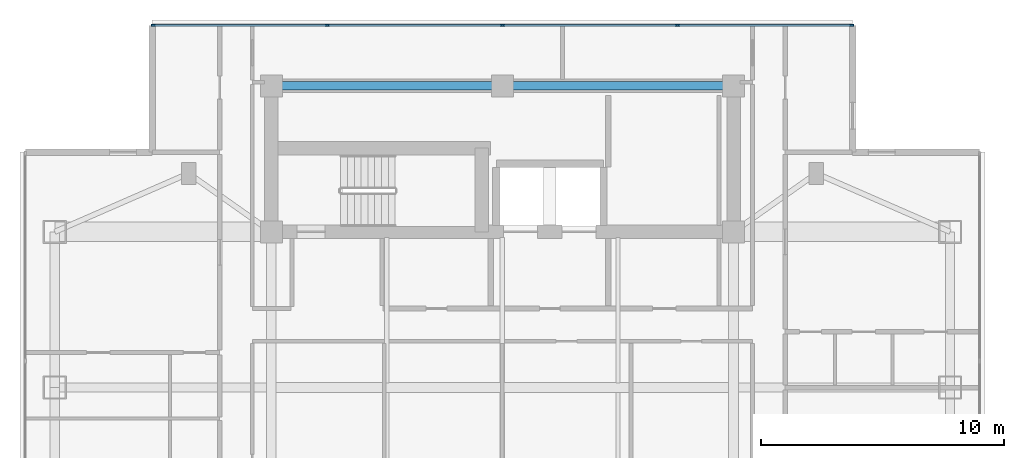
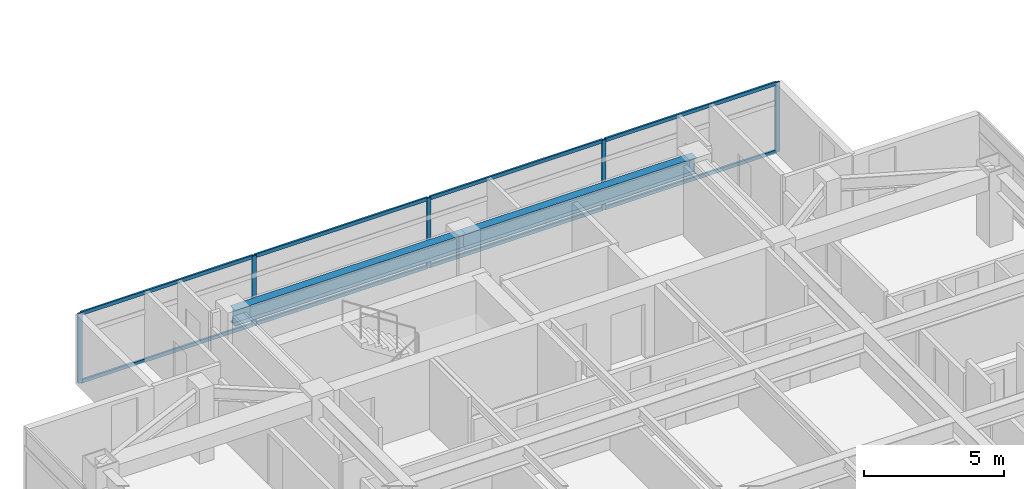
# One storey, part 8 of 24: 13 members, 2 beams, 1 element without a shape of its own.
"""IFC4 building model written with IfcOpenShell, lengths in metres."""

from ifc_helpers import new_model, si_unit, direction, frame, origin, origin_2d, place, context, subcontext, project, spatial, rectangle, i_section, extrude, material, material_profile, profile_set, type_object, element, aggregate, save


model = new_model("IFC4")

# Units and contexts
model_context = context("Model", 3, precision=1e-05, world=origin(), true_north=direction((0.0, 1.0)))
body_context = subcontext(model_context, "Body", "Model", "MODEL_VIEW")
ifc_project = project(units=[si_unit("LENGTHUNIT", "METRE"), si_unit("AREAUNIT", "SQUARE_METRE"), si_unit("VOLUMEUNIT", "CUBIC_METRE"), si_unit("PLANEANGLEUNIT", "RADIAN"), si_unit("MASSUNIT", "GRAM", prefix="KILO")], contexts=[model_context])

# Site, building, storey
site_placement = place(None, origin())
site = spatial("IfcSite", under=ifc_project, at=site_placement, CompositionType="ELEMENT")
building_placement = place(site_placement, origin())
building = spatial("IfcBuilding", under=site, at=building_placement, Name="Mirazonda Arch Towers", CompositionType="ELEMENT")
storey_placement = place(building_placement, frame((0.0, 0.0, 186.89990234375)))
storey = spatial("IfcBuildingStorey", under=building, at=storey_placement, Name="L53", CompositionType="ELEMENT", Elevation=186.89990234375)

# Beams
ifc_material_1 = material(Name="Steel ASTM A992 Grade 50", Category="steel")
ifc_material_profile_1 = material_profile(ifc_material_1, i_section(OverallWidth=0.35498046875, OverallDepth=0.696044921875, WebThickness=0.015380859375, FlangeThickness=0.02490234375, at=origin_2d()), Name="W27X146")
ifc_profile_set_1 = profile_set([ifc_material_profile_1], Name="Steel ASTM A992 Grade 50")
beam_type = type_object("IfcBeamType", Name="BM-INT-W27X146", PredefinedType="BEAM", material=ifc_profile_set_1)
for number, where, z_axis, x_axis, name in (
    (1, (11.0, 43.60009765625, 2.7021484375), (1.0, 0.0, 0.0), (0.0, 1.0, 0.0), "L53 Floor Beam BM-T1-L53-CN1"),
    (2, (20.5, 43.60009765625, 2.7021484375), (1.0, 0.0, 0.0), (0.0, 1.0, 0.0), "L53 Floor Beam BM-T1-L53-CN2"),
):
    element("IfcBeam", number, at=place(storey_placement, frame(where, z_axis=z_axis, x_axis=x_axis)), inside=storey, type_object=beam_type, Name=name, PredefinedType="BEAM", context=body_context, shape_type="SweptSolid", body=[
        extrude(i_section(OverallWidth=0.35498046875, OverallDepth=0.696044921875, WebThickness=0.015380859375, FlangeThickness=0.02490234375, at=origin_2d()), origin(), (0.0, 0.0, 1.0), 9.5),
    ])

# Curtain wall, members
ifc_material_2 = material(Name="Anodised Aluminium and Low-E Glass", Category="aluminium")
curtain_wall_type = type_object("IfcCurtainWallType", Name="CW-RES-UNIT", PredefinedType="NOTDEFINED", material=ifc_material_2)
curtain_wall_placement = place(storey_placement, origin())
curtain_wall = element("IfcCurtainWall", 3, at=curtain_wall_placement, inside=storey, type_object=curtain_wall_type, Name="L53 T1 N Facade CW-L53-T1-N", PredefinedType="NOTDEFINED")
ifc_material_3 = material(Name="Anodised Aluminium Alloy", Category="aluminium")
ifc_material_profile_2 = material_profile(ifc_material_3, rectangle(XDim=0.074951171875, YDim=0.175048828125, at=origin_2d()), Name="ALU-MULL-75x175")
ifc_profile_set_2 = profile_set([ifc_material_profile_2], Name="Anodised Aluminium Alloy")
member_type_1 = type_object("IfcMemberType", Name="MULL-CW-RES-UNIT", PredefinedType="MULLION", material=ifc_profile_set_2)
member_1_placement = place(storey_placement, frame((6.142578125, 46.087890625, 0.0), z_axis=(0.0, 0.0, 1.0), x_axis=(0.0, 1.0, 0.0)))
member_1 = element("IfcMember", 4, at=member_1_placement, type_object=member_type_1, Name="CW-104 mullion 1", PredefinedType="MULLION", context=body_context, shape_type="SweptSolid", body=[
    extrude(rectangle(XDim=0.074951171875, YDim=0.175048828125, at=origin_2d()), origin(), (0.0, 0.0, 1.0), 3.030029296875),
])
member_2_placement = place(storey_placement, frame((13.302490234375, 46.087890625, 0.0), z_axis=(0.0, 0.0, 1.0), x_axis=(0.0, 1.0, 0.0)))
member_2 = element("IfcMember", 5, at=member_2_placement, type_object=member_type_1, Name="CW-104 mullion 2", PredefinedType="MULLION", context=body_context, shape_type="SweptSolid", body=[
    extrude(rectangle(XDim=0.074951171875, YDim=0.175048828125, at=origin_2d()), origin(), (0.0, 0.0, 1.0), 3.030029296875),
])
member_3_placement = place(storey_placement, frame((20.5, 46.087890625, 0.0), z_axis=(0.0, 0.0, 1.0), x_axis=(0.0, 1.0, 0.0)))
member_3 = element("IfcMember", 6, at=member_3_placement, type_object=member_type_1, Name="CW-104 mullion 3", PredefinedType="MULLION", context=body_context, shape_type="SweptSolid", body=[
    extrude(rectangle(XDim=0.074951171875, YDim=0.175048828125, at=origin_2d()), origin(), (0.0, 0.0, 1.0), 3.030029296875),
])
member_4_placement = place(storey_placement, frame((27.697509765625, 46.087890625, 0.0), z_axis=(0.0, 0.0, 1.0), x_axis=(0.0, 1.0, 0.0)))
member_4 = element("IfcMember", 7, at=member_4_placement, type_object=member_type_1, Name="CW-104 mullion 4", PredefinedType="MULLION", context=body_context, shape_type="SweptSolid", body=[
    extrude(rectangle(XDim=0.074951171875, YDim=0.175048828125, at=origin_2d()), origin(), (0.0, 0.0, 1.0), 3.030029296875),
])
member_5_placement = place(storey_placement, frame((34.857421875, 46.087890625, 0.0), z_axis=(0.0, 0.0, 1.0), x_axis=(0.0, 1.0, 0.0)))
member_5 = element("IfcMember", 8, at=member_5_placement, type_object=member_type_1, Name="CW-104 mullion 5", PredefinedType="MULLION", context=body_context, shape_type="SweptSolid", body=[
    extrude(rectangle(XDim=0.074951171875, YDim=0.175048828125, at=origin_2d()), origin(), (0.0, 0.0, 1.0), 3.030029296875),
])
ifc_material_profile_3 = material_profile(ifc_material_3, rectangle(XDim=0.074951171875, YDim=0.155029296875, at=origin_2d()), Name="ALU-TRAN-75x155")
ifc_profile_set_3 = profile_set([ifc_material_profile_3], Name="Anodised Aluminium Alloy")
member_type_2 = type_object("IfcMemberType", Name="TRAN-CW-RES-UNIT", PredefinedType="USERDEFINED", material=ifc_profile_set_3)
member_6_placement = place(storey_placement, frame((6.179931640625, 46.087890625, 0.03759765625), z_axis=(1.0, 0.0, 0.0), x_axis=(0.0, 1.0, 0.0)))
member_6 = element("IfcMember", 9, at=member_6_placement, type_object=member_type_2, Name="CW-104 transom 1.1", ObjectType="TRANSOM", PredefinedType="USERDEFINED", context=body_context, shape_type="SweptSolid", body=[
    extrude(rectangle(XDim=0.074951171875, YDim=0.155029296875, at=origin_2d()), origin(), (0.0, 0.0, 1.0), 7.0849609375),
])
member_7_placement = place(storey_placement, frame((6.179931640625, 46.087890625, 2.99267578125), z_axis=(1.0, 0.0, 0.0), x_axis=(0.0, 1.0, 0.0)))
member_7 = element("IfcMember", 10, at=member_7_placement, type_object=member_type_2, Name="CW-104 transom 1.2", ObjectType="TRANSOM", PredefinedType="USERDEFINED", context=body_context, shape_type="SweptSolid", body=[
    extrude(rectangle(XDim=0.074951171875, YDim=0.155029296875, at=origin_2d()), origin(), (0.0, 0.0, 1.0), 7.0849609375),
])
member_8_placement = place(storey_placement, frame((13.340087890625, 46.087890625, 0.03759765625), z_axis=(1.0, 0.0, 0.0), x_axis=(0.0, 1.0, 0.0)))
member_8 = element("IfcMember", 11, at=member_8_placement, type_object=member_type_2, Name="CW-104 transom 2.1", ObjectType="TRANSOM", PredefinedType="USERDEFINED", context=body_context, shape_type="SweptSolid", body=[
    extrude(rectangle(XDim=0.074951171875, YDim=0.155029296875, at=origin_2d()), origin(), (0.0, 0.0, 1.0), 7.122314453125),
])
member_9_placement = place(storey_placement, frame((13.340087890625, 46.087890625, 2.99267578125), z_axis=(1.0, 0.0, 0.0), x_axis=(0.0, 1.0, 0.0)))
member_9 = element("IfcMember", 12, at=member_9_placement, type_object=member_type_2, Name="CW-104 transom 2.2", ObjectType="TRANSOM", PredefinedType="USERDEFINED", context=body_context, shape_type="SweptSolid", body=[
    extrude(rectangle(XDim=0.074951171875, YDim=0.155029296875, at=origin_2d()), origin(), (0.0, 0.0, 1.0), 7.122314453125),
])
member_10_placement = place(storey_placement, frame((20.53759765625, 46.087890625, 0.03759765625), z_axis=(1.0, 0.0, 0.0), x_axis=(0.0, 1.0, 0.0)))
member_10 = element("IfcMember", 13, at=member_10_placement, type_object=member_type_2, Name="CW-104 transom 3.1", ObjectType="TRANSOM", PredefinedType="USERDEFINED", context=body_context, shape_type="SweptSolid", body=[
    extrude(rectangle(XDim=0.074951171875, YDim=0.155029296875, at=origin_2d()), origin(), (0.0, 0.0, 1.0), 7.122314453125),
])
member_11_placement = place(storey_placement, frame((20.53759765625, 46.087890625, 2.99267578125), z_axis=(1.0, 0.0, 0.0), x_axis=(0.0, 1.0, 0.0)))
member_11 = element("IfcMember", 14, at=member_11_placement, type_object=member_type_2, Name="CW-104 transom 3.2", ObjectType="TRANSOM", PredefinedType="USERDEFINED", context=body_context, shape_type="SweptSolid", body=[
    extrude(rectangle(XDim=0.074951171875, YDim=0.155029296875, at=origin_2d()), origin(), (0.0, 0.0, 1.0), 7.122314453125),
])
member_12_placement = place(storey_placement, frame((27.735107421875, 46.087890625, 0.03759765625), z_axis=(1.0, 0.0, 0.0), x_axis=(0.0, 1.0, 0.0)))
member_12 = element("IfcMember", 15, at=member_12_placement, type_object=member_type_2, Name="CW-104 transom 4.1", ObjectType="TRANSOM", PredefinedType="USERDEFINED", context=body_context, shape_type="SweptSolid", body=[
    extrude(rectangle(XDim=0.074951171875, YDim=0.155029296875, at=origin_2d()), origin(), (0.0, 0.0, 1.0), 7.0849609375),
])
member_13_placement = place(storey_placement, frame((27.735107421875, 46.087890625, 2.99267578125), z_axis=(1.0, 0.0, 0.0), x_axis=(0.0, 1.0, 0.0)))
member_13 = element("IfcMember", 16, at=member_13_placement, type_object=member_type_2, Name="CW-104 transom 4.2", ObjectType="TRANSOM", PredefinedType="USERDEFINED", context=body_context, shape_type="SweptSolid", body=[
    extrude(rectangle(XDim=0.074951171875, YDim=0.155029296875, at=origin_2d()), origin(), (0.0, 0.0, 1.0), 7.0849609375),
])
aggregate(curtain_wall, [member_1, member_2, member_3, member_4, member_5, member_6, member_7, member_8, member_9, member_10, member_11, member_12, member_13])

save(model, "model.ifc")
